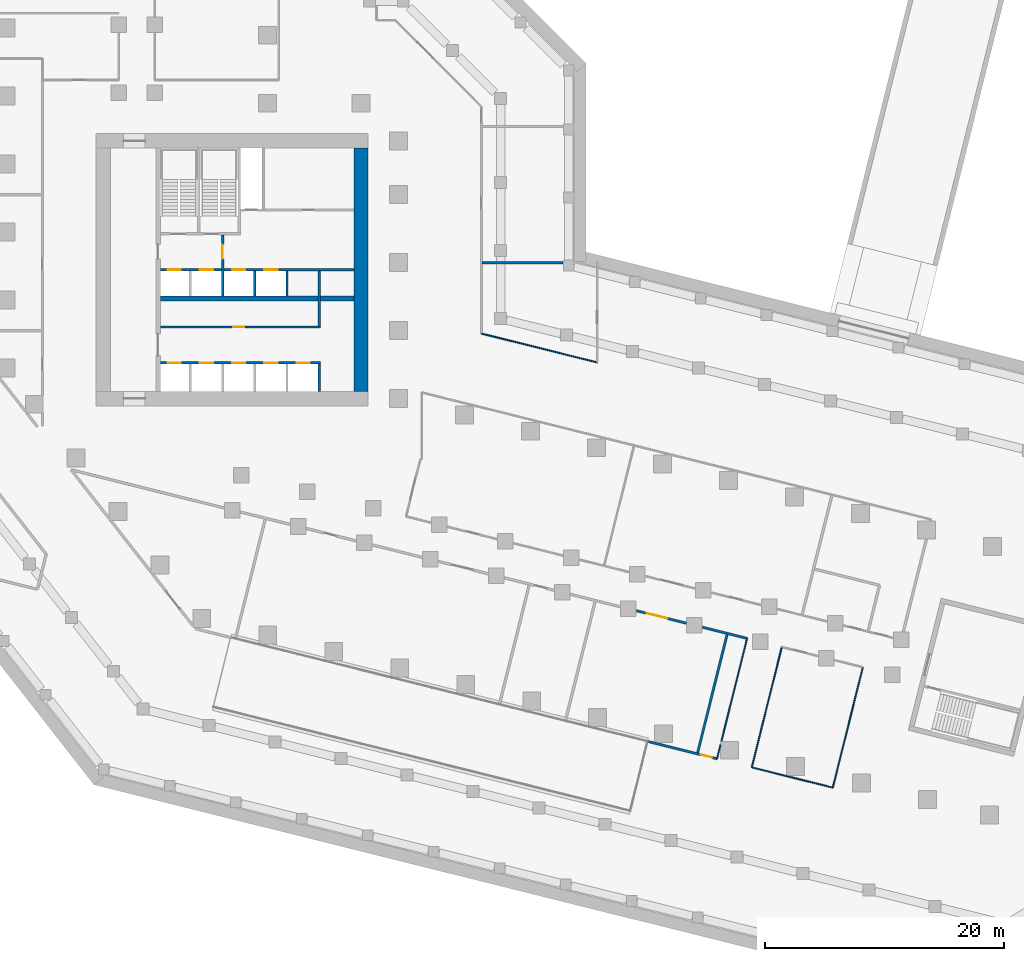
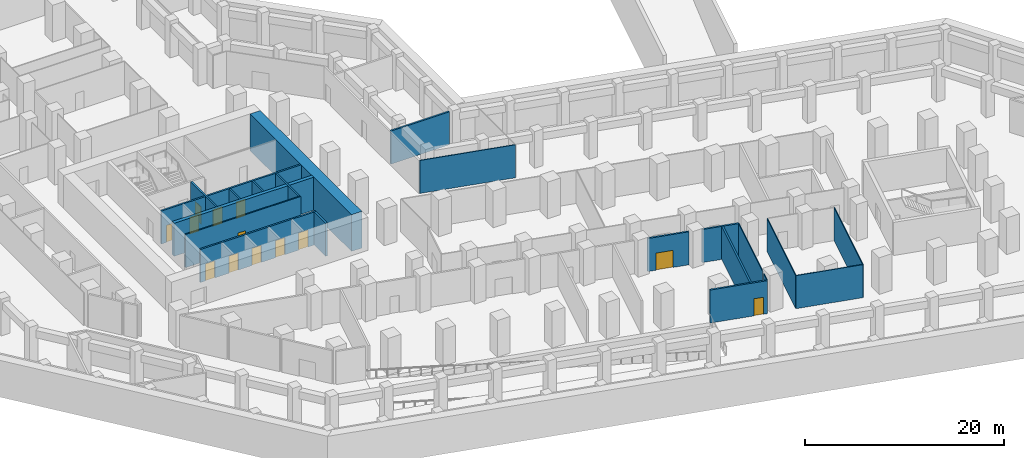
# One storey, part 6 of 14: 21 walls, 13 doors, 13 openings.
"""IFC4 building model written with IfcOpenShell, lengths in metres."""

from ifc_helpers import new_model, si_unit, direction, frame, frame_2d, origin, place, context, subcontext, project, spatial, rectangle, extrude, material, layer, layer_set, type_object, element, fill, save


model = new_model("IFC4")

# Units and contexts
model_context = context("Model", 3, precision=1e-05, world=origin(), true_north=direction((0.0, 1.0)))
body_context = subcontext(model_context, "Body", "Model", "MODEL_VIEW")
ifc_project = project(units=[si_unit("LENGTHUNIT", "METRE"), si_unit("AREAUNIT", "SQUARE_METRE"), si_unit("VOLUMEUNIT", "CUBIC_METRE"), si_unit("PLANEANGLEUNIT", "RADIAN"), si_unit("MASSUNIT", "GRAM", prefix="KILO")], contexts=[model_context])

# Site, building, storey
site_placement = place(None, origin())
site = spatial("IfcSite", under=ifc_project, at=site_placement, CompositionType="ELEMENT")
building_placement = place(site_placement, origin())
building = spatial("IfcBuilding", under=site, at=building_placement, Name="Meshkara Civic Tower", CompositionType="ELEMENT")
storey_placement = place(building_placement, frame((0.0, 0.0, -4.5)))
storey = spatial("IfcBuildingStorey", under=building, at=storey_placement, Name="B1", CompositionType="ELEMENT", Elevation=-4.5)

# Wall, opening, door
ifc_material_1 = material(Name="Blockwork", Category="masonry")
ifc_layer_1 = layer(ifc_material_1, 0.14990234375)
ifc_layer_set_1 = layer_set([ifc_layer_1], Name="Core partition 150")
wall_type_1 = type_object("IfcWallType", Name="Core partition 150", PredefinedType="PARTITIONING", material=ifc_layer_set_1)
wall_1_placement = place(storey_placement, frame((13.39990234375, 20.699951171875, 0.0), z_axis=(0.0, 0.0, 1.0), x_axis=(1.0, 0.0, 0.0)))
wall_1 = element("IfcWall", 1, at=wall_1_placement, inside=storey, type_object=wall_type_1, Name="B1-C006", PredefinedType="PARTITIONING", context=body_context, shape_type="SweptSolid", body=[
    extrude(rectangle(XDim=13.400146484375, YDim=0.14990234375, at=frame_2d((6.7001953125, 0.0))), origin(), (0.0, 0.0, 1.0), 4.050048828125),
])
opening_1_placement = place(wall_1_placement, frame((6.10009765625, 0.0, 0.0)))
opening_1 = element("IfcOpeningElement", 2, at=opening_1_placement, cuts=wall_1, Name="Opening B1-K010", PredefinedType="OPENING", context=body_context, shape_type="SweptSolid", body=[
    extrude(rectangle(XDim=0.89990234375, YDim=2.10009765625, at=frame_2d((0.449951171875, 1.050048828125))), frame((0.0, 0.0849609375, 0.0), z_axis=(0.0, -1.0, 0.0), x_axis=(1.0, 0.0, 0.0)), (0.0, 0.0, 1.0), 0.169921875),
])
ifc_material_2 = material(Name="Timber door leaf in steel frame", Category="steel")
door_type_1 = type_object("IfcDoorType", Name="Core room door 900", OperationType="SINGLE_SWING_LEFT", PredefinedType="DOOR", material=ifc_material_2)
door_1_placement = place(opening_1_placement, origin())
door_1 = element("IfcDoor", 3, at=door_1_placement, inside=storey, type_object=door_type_1, Name="B1-K010", OperationType="SINGLE_SWING_RIGHT", OverallHeight=2.10009765625, OverallWidth=0.89990234375, PredefinedType="DOOR", context=body_context, shape_type="SweptSolid", body=[
    extrude(rectangle(XDim=0.89990234375, YDim=2.10009765625, at=frame_2d((0.449951171875, 1.050048828125))), frame((0.0, 0.02490234375, 0.0), z_axis=(0.0, -1.0, 0.0), x_axis=(1.0, 0.0, 0.0)), (0.0, 0.0, 1.0), 0.050048828125),
])
fill(opening_1, door_1)

# Walls
ifc_material_3 = material(Name="Concrete C80", Category="concrete")
ifc_layer_2 = layer(ifc_material_3, 1.199951171875)
ifc_layer_set_2 = layer_set([ifc_layer_2], Name="Core ring wall 1200 C80")
wall_type_2 = type_object("IfcWallType", Name="Core ring wall 1200 C80", PredefinedType="SHEAR", material=ifc_layer_set_2)
wall_2_placement = place(storey_placement, frame((30.199951171875, 15.300048828125, -0.449951171875), z_axis=(0.0, 0.0, 1.0), x_axis=(0.0, 1.0, 0.0)))
element("IfcWall", 4, at=wall_2_placement, inside=storey, type_object=wall_type_2, Name="B1-C004", PredefinedType="SHEAR", context=body_context, shape_type="SweptSolid", body=[
    extrude(rectangle(XDim=20.39990234375, YDim=1.199951171875, at=frame_2d((10.199951171875, 0.0))), origin(), (0.0, 0.0, 1.0), 4.5),
])
ifc_material_4 = material(Name="Concrete C80", Category="concrete")
ifc_layer_3 = layer(ifc_material_4, 0.39990234375)
ifc_layer_set_3 = layer_set([ifc_layer_3], Name="Core shear wall 400 C80")
wall_type_3 = type_object("IfcWallType", Name="Core shear wall 400 C80", PredefinedType="SHEAR", material=ifc_layer_set_3)
wall_3_placement = place(storey_placement, frame((13.39990234375, 23.10009765625, 0.0), z_axis=(0.0, 0.0, 1.0), x_axis=(1.0, 0.0, 0.0)))
element("IfcWall", 5, at=wall_3_placement, inside=storey, type_object=wall_type_3, Name="B1-C007", PredefinedType="SHEAR", context=body_context, shape_type="SweptSolid", body=[
    extrude(rectangle(XDim=16.2001953125, YDim=0.39990234375, at=frame_2d((8.10009765625, 0.0))), origin(), (0.0, 0.0, 1.0), 4.050048828125),
])
ifc_material_5 = material(Name="Corridor wall 100")
ifc_layer_4 = layer(ifc_material_5, 0.10009765625)
ifc_layer_set_4 = layer_set([ifc_layer_4], Name="Corridor wall 100")
wall_type_4 = type_object("IfcWallType", Name="Corridor wall 100", PredefinedType="PARTITIONING", material=ifc_layer_set_4)
wall_4_placement = place(storey_placement, frame((50.0, 17.73095703125, 0.0), z_axis=(0.0, 0.0, 1.0), x_axis=(-0.970307482214, 0.241874740224, 0.0)))
element("IfcWall", 6, at=wall_4_placement, inside=storey, type_object=wall_type_4, Name="B1-R063", PredefinedType="PARTITIONING", context=body_context, shape_type="SweptSolid", body=[
    extrude(rectangle(XDim=9.996826171875, YDim=0.10009765625, at=frame_2d((4.99853515625, 0.0))), origin(), (0.0, 0.0, 1.0), 4.050048828125),
])
wall_5_placement = place(storey_placement, frame((60.326904296875, -14.324951171875, 0.0), z_axis=(0.0, 0.0, 1.0), x_axis=(-0.241814119599, -0.970322591493, 0.0)))
element("IfcWall", 7, at=wall_5_placement, inside=storey, type_object=wall_type_4, Name="B1-R069", PredefinedType="PARTITIONING", context=body_context, shape_type="SweptSolid", body=[
    extrude(rectangle(XDim=1.1943359375, YDim=0.10009765625, at=frame_2d((0.59716796875, 0.0))), origin(), (0.0, 0.0, 1.0), 4.050048828125),
])
wall_6_placement = place(storey_placement, frame((62.553955078125, -5.39306640625, 0.0), z_axis=(0.0, 0.0, 1.0), x_axis=(-0.2419526798, -0.970288050394, 0.0)))
element("IfcWall", 8, at=wall_6_placement, inside=storey, type_object=wall_type_4, Name="B1-R070", PredefinedType="PARTITIONING", context=body_context, shape_type="SweptSolid", body=[
    extrude(rectangle(XDim=8.869384765625, YDim=0.10009765625, at=frame_2d((4.4345703125, 0.0))), origin(), (0.0, 0.0, 1.0), 4.050048828125),
])
wall_7_placement = place(storey_placement, frame((62.947998046875, -16.2099609375, 0.0), z_axis=(0.0, 0.0, 1.0), x_axis=(0.241933513219, 0.970292829604, 0.0)))
element("IfcWall", 9, at=wall_7_placement, inside=storey, type_object=wall_type_4, Name="B1-R071", PredefinedType="PARTITIONING", context=body_context, shape_type="SweptSolid", body=[
    extrude(rectangle(XDim=10.39990234375, YDim=0.10009765625, at=frame_2d((5.199951171875, 0.0))), origin(), (0.0, 0.0, 1.0), 4.050048828125),
])
wall_8_placement = place(storey_placement, frame((69.740966796875, -17.903076171875, 0.0), z_axis=(0.0, 0.0, 1.0), x_axis=(-0.970314570401, 0.241846303398, 0.0)))
element("IfcWall", 10, at=wall_8_placement, inside=storey, type_object=wall_type_4, Name="B1-R075", PredefinedType="PARTITIONING", context=body_context, shape_type="SweptSolid", body=[
    extrude(rectangle(XDim=7.000732421875, YDim=0.10009765625, at=frame_2d((3.50048828125, 0.0))), origin(), (0.0, 0.0, 1.0), 4.050048828125),
])
wall_9_placement = place(storey_placement, frame((72.257080078125, -7.81201171875, 0.0), z_axis=(0.0, 0.0, 1.0), x_axis=(-0.241933513219, -0.970292829604, 0.0)))
element("IfcWall", 11, at=wall_9_placement, inside=storey, type_object=wall_type_4, Name="B1-R078", PredefinedType="PARTITIONING", context=body_context, shape_type="SweptSolid", body=[
    extrude(rectangle(XDim=10.39990234375, YDim=0.10009765625, at=frame_2d((5.199951171875, 0.0))), origin(), (0.0, 0.0, 1.0), 4.050048828125),
])

# Wall, opening, door
ifc_material_6 = material(Name="Fire-rated wall 200")
ifc_layer_5 = layer(ifc_material_6, 0.199951171875)
ifc_layer_set_5 = layer_set([ifc_layer_5], Name="Fire-rated wall 200")
wall_type_5 = type_object("IfcWallType", Name="Fire-rated wall 200", PredefinedType="PARTITIONING", material=ifc_layer_set_5)
wall_10_placement = place(storey_placement, frame((53.278076171875, -3.0810546875, 0.0), z_axis=(0.0, 0.0, 1.0), x_axis=(0.970295255208, -0.241923784941, 0.0)))
wall_10 = element("IfcWall", 12, at=wall_10_placement, inside=storey, type_object=wall_type_5, Name="B1-R065", PredefinedType="PARTITIONING", context=body_context, shape_type="SweptSolid", body=[
    extrude(rectangle(XDim=4.3193359375, YDim=0.199951171875, at=frame_2d((2.15966796875, 0.0))), origin(), (0.0, 0.0, 1.0), 4.050048828125),
])
opening_2_placement = place(wall_10_placement, frame((0.8798828125, 0.0, 0.0)))
opening_2 = element("IfcOpeningElement", 13, at=opening_2_placement, cuts=wall_10, Name="Opening B1-P005", PredefinedType="OPENING", context=body_context, shape_type="SweptSolid", body=[
    extrude(rectangle(XDim=1.800048828125, YDim=2.10009765625, at=frame_2d((0.89990234375, 1.050048828125))), frame((0.0, 0.10986328125, 0.0), z_axis=(0.0, -1.0, 0.0), x_axis=(1.0, 0.0, 0.0)), (0.0, 0.0, 1.0), 0.219970703125),
])
ifc_material_7 = material(Name="Door pair 1800 x 2100")
door_type_2 = type_object("IfcDoorType", Name="Door pair 1800 x 2100", OperationType="SINGLE_SWING_LEFT", PredefinedType="DOOR", material=ifc_material_7)
door_2_placement = place(opening_2_placement, origin())
door_2 = element("IfcDoor", 14, at=door_2_placement, inside=storey, type_object=door_type_2, Name="B1-P005", OperationType="DOUBLE_DOOR_SINGLE_SWING", OverallHeight=2.10009765625, OverallWidth=1.800048828125, PredefinedType="DOOR", context=body_context, shape_type="SweptSolid", body=[
    extrude(rectangle(XDim=1.800048828125, YDim=2.10009765625, at=frame_2d((0.89990234375, 1.050048828125))), frame((0.0, 0.02490234375, 0.0), z_axis=(0.0, -1.0, 0.0), x_axis=(1.0, 0.0, 0.0)), (0.0, 0.0, 1.0), 0.050048828125),
])
fill(opening_2, door_2)

wall_11_placement = place(storey_placement, frame((54.2119140625, -14.031982421875, 0.0), z_axis=(0.0, 0.0, 1.0), x_axis=(0.970324004364, -0.241808450132, 0.0)))
wall_11 = element("IfcWall", 15, at=wall_11_placement, inside=storey, type_object=wall_type_5, Name="B1-R066", PredefinedType="PARTITIONING", context=body_context, shape_type="SweptSolid", body=[
    extrude(rectangle(XDim=6.00439453125, YDim=0.199951171875, at=frame_2d((3.002197265625, 0.0))), origin(), (0.0, 0.0, 1.0), 4.050048828125),
])
opening_3_placement = place(wall_11_placement, frame((4.583984375, 0.0, 0.0)))
opening_3 = element("IfcOpeningElement", 16, at=opening_3_placement, cuts=wall_11, Name="Opening B1-P001", PredefinedType="OPENING", context=body_context, shape_type="SweptSolid", body=[
    extrude(rectangle(XDim=1.0, YDim=2.10009765625, at=frame_2d((0.5, 1.050048828125))), frame((0.0, 0.10986328125, 0.0), z_axis=(0.0, -1.0, 0.0), x_axis=(1.0, 0.0, 0.0)), (0.0, 0.0, 1.0), 0.219970703125),
])
ifc_material_8 = material(Name="Door 1000 x 2100")
door_type_3 = type_object("IfcDoorType", Name="Door 1000 x 2100", OperationType="SINGLE_SWING_LEFT", PredefinedType="DOOR", material=ifc_material_8)
door_3_placement = place(opening_3_placement, origin())
door_3 = element("IfcDoor", 17, at=door_3_placement, inside=storey, type_object=door_type_3, Name="B1-P001", OperationType="SINGLE_SWING_LEFT", OverallHeight=2.10009765625, OverallWidth=1.0, PredefinedType="DOOR", context=body_context, shape_type="SweptSolid", body=[
    extrude(rectangle(XDim=1.0, YDim=2.10009765625, at=frame_2d((0.5, 1.050048828125))), frame((0.0, 0.02490234375, 0.0), z_axis=(0.0, -1.0, 0.0), x_axis=(1.0, 0.0, 0.0)), (0.0, 0.0, 1.0), 0.050048828125),
])
fill(opening_3, door_3)

# Walls
wall_12_placement = place(storey_placement, frame((58.80908203125, -4.4599609375, 0.0), z_axis=(0.0, 0.0, 1.0), x_axis=(0.97033198058, -0.241776441083, 0.0)))
element("IfcWall", 18, at=wall_12_placement, inside=storey, type_object=wall_type_5, Name="B1-R068", PredefinedType="PARTITIONING", context=body_context, shape_type="SweptSolid", body=[
    extrude(rectangle(XDim=3.859375, YDim=0.199951171875, at=frame_2d((1.9296875, 0.0))), origin(), (0.0, 0.0, 1.0), 4.050048828125),
])
wall_13_placement = place(storey_placement, frame((47.1298828125, 26.10009765625, 0.0), z_axis=(0.0, 0.0, 1.0), x_axis=(-1.0, 0.0, 0.0)))
element("IfcWall", 19, at=wall_13_placement, inside=storey, type_object=wall_type_5, Name="B1-R095", PredefinedType="PARTITIONING", context=body_context, shape_type="SweptSolid", body=[
    extrude(rectangle(XDim=6.77978515625, YDim=0.199951171875, at=frame_2d((3.389892578125, 0.0))), origin(), (0.0, 0.0, 1.0), 4.050048828125),
])
wall_14_placement = place(storey_placement, frame((58.39990234375, -15.02392578125, 0.0), z_axis=(0.0, 0.0, 1.0), x_axis=(0.241983392409, 0.970280391329, 0.0)))
element("IfcWall", 20, at=wall_14_placement, inside=storey, type_object=wall_type_5, Name="B1-R099", PredefinedType="PARTITIONING", context=body_context, shape_type="SweptSolid", body=[
    extrude(rectangle(XDim=10.299072265625, YDim=0.199951171875, at=frame_2d((5.1494140625, 0.0))), origin(), (0.0, 0.0, 1.0), 4.050048828125),
])

# Wall, openings, doors
ifc_material_9 = material(Name="Concrete C40/50", Category="concrete")
ifc_layer_6 = layer(ifc_material_9, 0.199951171875)
ifc_layer_set_6 = layer_set([ifc_layer_6], Name="Shaft wall 200 C40/50")
wall_type_6 = type_object("IfcWallType", Name="Shaft wall 200 C40/50", PredefinedType="SOLIDWALL", material=ifc_layer_set_6)
wall_15_placement = place(storey_placement, frame((13.39990234375, 17.699951171875, 0.0), z_axis=(0.0, 0.0, 1.0), x_axis=(1.0, 0.0, 0.0)))
wall_15 = element("IfcWall", 21, at=wall_15_placement, inside=storey, type_object=wall_type_6, Name="B1-C005", PredefinedType="SOLIDWALL", context=body_context, shape_type="SweptSolid", body=[
    extrude(rectangle(XDim=13.400146484375, YDim=0.199951171875, at=frame_2d((6.7001953125, 0.0))), origin(), (0.0, 0.0, 1.0), 4.050048828125),
])
opening_4_placement = place(wall_15_placement, frame((0.60009765625, 0.0, 0.0)))
opening_4 = element("IfcOpeningElement", 22, at=opening_4_placement, cuts=wall_15, Name="Opening B1-K001", PredefinedType="OPENING", context=body_context, shape_type="SweptSolid", body=[
    extrude(rectangle(XDim=1.10009765625, YDim=2.10009765625, at=frame_2d((0.550048828125, 1.050048828125))), frame((0.0, 0.10986328125, 0.0), z_axis=(0.0, -1.0, 0.0), x_axis=(1.0, 0.0, 0.0)), (0.0, 0.0, 1.0), 0.219970703125),
])
opening_5_placement = place(wall_15_placement, frame((3.300048828125, 0.0, 0.0)))
opening_5 = element("IfcOpeningElement", 23, at=opening_5_placement, cuts=wall_15, Name="Opening B1-K002", PredefinedType="OPENING", context=body_context, shape_type="SweptSolid", body=[
    extrude(rectangle(XDim=1.10009765625, YDim=2.10009765625, at=frame_2d((0.550048828125, 1.050048828125))), frame((0.0, 0.10986328125, 0.0), z_axis=(0.0, -1.0, 0.0), x_axis=(1.0, 0.0, 0.0)), (0.0, 0.0, 1.0), 0.219970703125),
])
opening_6_placement = place(wall_15_placement, frame((6.0, 0.0, 0.0)))
opening_6 = element("IfcOpeningElement", 24, at=opening_6_placement, cuts=wall_15, Name="Opening B1-K003", PredefinedType="OPENING", context=body_context, shape_type="SweptSolid", body=[
    extrude(rectangle(XDim=1.10009765625, YDim=2.10009765625, at=frame_2d((0.550048828125, 1.050048828125))), frame((0.0, 0.10986328125, 0.0), z_axis=(0.0, -1.0, 0.0), x_axis=(1.0, 0.0, 0.0)), (0.0, 0.0, 1.0), 0.219970703125),
])
opening_7_placement = place(wall_15_placement, frame((8.699951171875, 0.0, 0.0)))
opening_7 = element("IfcOpeningElement", 25, at=opening_7_placement, cuts=wall_15, Name="Opening B1-K004", PredefinedType="OPENING", context=body_context, shape_type="SweptSolid", body=[
    extrude(rectangle(XDim=1.10009765625, YDim=2.10009765625, at=frame_2d((0.550048828125, 1.050048828125))), frame((0.0, 0.10986328125, 0.0), z_axis=(0.0, -1.0, 0.0), x_axis=(1.0, 0.0, 0.0)), (0.0, 0.0, 1.0), 0.219970703125),
])
opening_8_placement = place(wall_15_placement, frame((11.39990234375, 0.0, 0.0)))
opening_8 = element("IfcOpeningElement", 26, at=opening_8_placement, cuts=wall_15, Name="Opening B1-K005", PredefinedType="OPENING", context=body_context, shape_type="SweptSolid", body=[
    extrude(rectangle(XDim=1.10009765625, YDim=2.10009765625, at=frame_2d((0.550048828125, 1.050048828125))), frame((0.0, 0.10986328125, 0.0), z_axis=(0.0, -1.0, 0.0), x_axis=(1.0, 0.0, 0.0)), (0.0, 0.0, 1.0), 0.219970703125),
])
ifc_material_10 = material(Name="Stainless steel landing door", Category="steel")
door_type_4 = type_object("IfcDoorType", Name="Lift landing door 1100", OperationType="SLIDING_TO_LEFT", PredefinedType="DOOR", material=ifc_material_10)
door_4_placement = place(opening_4_placement, origin())
door_4 = element("IfcDoor", 27, at=door_4_placement, inside=storey, type_object=door_type_4, Name="B1-K001", OperationType="SLIDING_TO_LEFT", OverallHeight=2.10009765625, OverallWidth=1.10009765625, PredefinedType="DOOR", context=body_context, shape_type="SweptSolid", body=[
    extrude(rectangle(XDim=1.10009765625, YDim=2.10009765625, at=frame_2d((0.550048828125, 1.050048828125))), frame((0.0, 0.02490234375, 0.0), z_axis=(0.0, -1.0, 0.0), x_axis=(1.0, 0.0, 0.0)), (0.0, 0.0, 1.0), 0.050048828125),
])
fill(opening_4, door_4)
door_5_placement = place(opening_5_placement, origin())
door_5 = element("IfcDoor", 28, at=door_5_placement, inside=storey, type_object=door_type_4, Name="B1-K002", OperationType="SLIDING_TO_LEFT", OverallHeight=2.10009765625, OverallWidth=1.10009765625, PredefinedType="DOOR", context=body_context, shape_type="SweptSolid", body=[
    extrude(rectangle(XDim=1.10009765625, YDim=2.10009765625, at=frame_2d((0.550048828125, 1.050048828125))), frame((0.0, 0.02490234375, 0.0), z_axis=(0.0, -1.0, 0.0), x_axis=(1.0, 0.0, 0.0)), (0.0, 0.0, 1.0), 0.050048828125),
])
fill(opening_5, door_5)
door_6_placement = place(opening_6_placement, origin())
door_6 = element("IfcDoor", 29, at=door_6_placement, inside=storey, type_object=door_type_4, Name="B1-K003", OperationType="SLIDING_TO_LEFT", OverallHeight=2.10009765625, OverallWidth=1.10009765625, PredefinedType="DOOR", context=body_context, shape_type="SweptSolid", body=[
    extrude(rectangle(XDim=1.10009765625, YDim=2.10009765625, at=frame_2d((0.550048828125, 1.050048828125))), frame((0.0, 0.02490234375, 0.0), z_axis=(0.0, -1.0, 0.0), x_axis=(1.0, 0.0, 0.0)), (0.0, 0.0, 1.0), 0.050048828125),
])
fill(opening_6, door_6)
door_7_placement = place(opening_7_placement, origin())
door_7 = element("IfcDoor", 30, at=door_7_placement, inside=storey, type_object=door_type_4, Name="B1-K004", OperationType="SLIDING_TO_LEFT", OverallHeight=2.10009765625, OverallWidth=1.10009765625, PredefinedType="DOOR", context=body_context, shape_type="SweptSolid", body=[
    extrude(rectangle(XDim=1.10009765625, YDim=2.10009765625, at=frame_2d((0.550048828125, 1.050048828125))), frame((0.0, 0.02490234375, 0.0), z_axis=(0.0, -1.0, 0.0), x_axis=(1.0, 0.0, 0.0)), (0.0, 0.0, 1.0), 0.050048828125),
])
fill(opening_7, door_7)
door_8_placement = place(opening_8_placement, origin())
door_8 = element("IfcDoor", 31, at=door_8_placement, inside=storey, type_object=door_type_4, Name="B1-K005", OperationType="SLIDING_TO_LEFT", OverallHeight=2.10009765625, OverallWidth=1.10009765625, PredefinedType="DOOR", context=body_context, shape_type="SweptSolid", body=[
    extrude(rectangle(XDim=1.10009765625, YDim=2.10009765625, at=frame_2d((0.550048828125, 1.050048828125))), frame((0.0, 0.02490234375, 0.0), z_axis=(0.0, -1.0, 0.0), x_axis=(1.0, 0.0, 0.0)), (0.0, 0.0, 1.0), 0.050048828125),
])
fill(opening_8, door_8)

wall_16_placement = place(storey_placement, frame((13.39990234375, 25.5, 0.0), z_axis=(0.0, 0.0, 1.0), x_axis=(1.0, 0.0, 0.0)))
wall_16 = element("IfcWall", 32, at=wall_16_placement, inside=storey, type_object=wall_type_6, Name="B1-C008", PredefinedType="SOLIDWALL", context=body_context, shape_type="SweptSolid", body=[
    extrude(rectangle(XDim=16.2001953125, YDim=0.199951171875, at=frame_2d((8.10009765625, 0.0))), origin(), (0.0, 0.0, 1.0), 4.050048828125),
])
opening_9_placement = place(wall_16_placement, frame((0.60009765625, 0.0, 0.0)))
opening_9 = element("IfcOpeningElement", 33, at=opening_9_placement, cuts=wall_16, Name="Opening B1-K006", PredefinedType="OPENING", context=body_context, shape_type="SweptSolid", body=[
    extrude(rectangle(XDim=1.10009765625, YDim=2.10009765625, at=frame_2d((0.550048828125, 1.050048828125))), frame((0.0, 0.10986328125, 0.0), z_axis=(0.0, -1.0, 0.0), x_axis=(1.0, 0.0, 0.0)), (0.0, 0.0, 1.0), 0.219970703125),
])
opening_10_placement = place(wall_16_placement, frame((3.300048828125, 0.0, 0.0)))
opening_10 = element("IfcOpeningElement", 34, at=opening_10_placement, cuts=wall_16, Name="Opening B1-K007", PredefinedType="OPENING", context=body_context, shape_type="SweptSolid", body=[
    extrude(rectangle(XDim=1.10009765625, YDim=2.10009765625, at=frame_2d((0.550048828125, 1.050048828125))), frame((0.0, 0.10986328125, 0.0), z_axis=(0.0, -1.0, 0.0), x_axis=(1.0, 0.0, 0.0)), (0.0, 0.0, 1.0), 0.219970703125),
])
opening_11_placement = place(wall_16_placement, frame((6.0, 0.0, 0.0)))
opening_11 = element("IfcOpeningElement", 35, at=opening_11_placement, cuts=wall_16, Name="Opening B1-K008", PredefinedType="OPENING", context=body_context, shape_type="SweptSolid", body=[
    extrude(rectangle(XDim=1.10009765625, YDim=2.10009765625, at=frame_2d((0.550048828125, 1.050048828125))), frame((0.0, 0.10986328125, 0.0), z_axis=(0.0, -1.0, 0.0), x_axis=(1.0, 0.0, 0.0)), (0.0, 0.0, 1.0), 0.219970703125),
])
opening_12_placement = place(wall_16_placement, frame((8.699951171875, 0.0, 0.0)))
opening_12 = element("IfcOpeningElement", 36, at=opening_12_placement, cuts=wall_16, Name="Opening B1-K009", PredefinedType="OPENING", context=body_context, shape_type="SweptSolid", body=[
    extrude(rectangle(XDim=1.10009765625, YDim=2.10009765625, at=frame_2d((0.550048828125, 1.050048828125))), frame((0.0, 0.10986328125, 0.0), z_axis=(0.0, -1.0, 0.0), x_axis=(1.0, 0.0, 0.0)), (0.0, 0.0, 1.0), 0.219970703125),
])
door_9_placement = place(opening_9_placement, origin())
door_9 = element("IfcDoor", 37, at=door_9_placement, inside=storey, type_object=door_type_4, Name="B1-K006", OperationType="SLIDING_TO_LEFT", OverallHeight=2.10009765625, OverallWidth=1.10009765625, PredefinedType="DOOR", context=body_context, shape_type="SweptSolid", body=[
    extrude(rectangle(XDim=1.10009765625, YDim=2.10009765625, at=frame_2d((0.550048828125, 1.050048828125))), frame((0.0, 0.02490234375, 0.0), z_axis=(0.0, -1.0, 0.0), x_axis=(1.0, 0.0, 0.0)), (0.0, 0.0, 1.0), 0.050048828125),
])
fill(opening_9, door_9)
door_10_placement = place(opening_10_placement, origin())
door_10 = element("IfcDoor", 38, at=door_10_placement, inside=storey, type_object=door_type_4, Name="B1-K007", OperationType="SLIDING_TO_LEFT", OverallHeight=2.10009765625, OverallWidth=1.10009765625, PredefinedType="DOOR", context=body_context, shape_type="SweptSolid", body=[
    extrude(rectangle(XDim=1.10009765625, YDim=2.10009765625, at=frame_2d((0.550048828125, 1.050048828125))), frame((0.0, 0.02490234375, 0.0), z_axis=(0.0, -1.0, 0.0), x_axis=(1.0, 0.0, 0.0)), (0.0, 0.0, 1.0), 0.050048828125),
])
fill(opening_10, door_10)
door_11_placement = place(opening_11_placement, origin())
door_11 = element("IfcDoor", 39, at=door_11_placement, inside=storey, type_object=door_type_4, Name="B1-K008", OperationType="SLIDING_TO_LEFT", OverallHeight=2.10009765625, OverallWidth=1.10009765625, PredefinedType="DOOR", context=body_context, shape_type="SweptSolid", body=[
    extrude(rectangle(XDim=1.10009765625, YDim=2.10009765625, at=frame_2d((0.550048828125, 1.050048828125))), frame((0.0, 0.02490234375, 0.0), z_axis=(0.0, -1.0, 0.0), x_axis=(1.0, 0.0, 0.0)), (0.0, 0.0, 1.0), 0.050048828125),
])
fill(opening_11, door_11)
door_12_placement = place(opening_12_placement, origin())
door_12 = element("IfcDoor", 40, at=door_12_placement, inside=storey, type_object=door_type_4, Name="B1-K009", OperationType="SLIDING_TO_LEFT", OverallHeight=2.10009765625, OverallWidth=1.10009765625, PredefinedType="DOOR", context=body_context, shape_type="SweptSolid", body=[
    extrude(rectangle(XDim=1.10009765625, YDim=2.10009765625, at=frame_2d((0.550048828125, 1.050048828125))), frame((0.0, 0.02490234375, 0.0), z_axis=(0.0, -1.0, 0.0), x_axis=(1.0, 0.0, 0.0)), (0.0, 0.0, 1.0), 0.050048828125),
])
fill(opening_12, door_12)

# Wall, opening, door
wall_17_placement = place(storey_placement, frame((18.60009765625, 23.300048828125, 0.0), z_axis=(0.0, 0.0, 1.0), x_axis=(0.0, 1.0, 0.0)))
wall_17 = element("IfcWall", 41, at=wall_17_placement, inside=storey, type_object=wall_type_6, Name="B1-C016", PredefinedType="SOLIDWALL", context=body_context, shape_type="SweptSolid", body=[
    extrude(rectangle(XDim=5.099853515625, YDim=0.199951171875, at=frame_2d((2.5498046875, 0.0))), origin(), (0.0, 0.0, 1.0), 4.050048828125),
])
opening_13_placement = place(wall_17_placement, frame((3.10009765625, 0.0, 0.0)))
opening_13 = element("IfcOpeningElement", 42, at=opening_13_placement, cuts=wall_17, Name="Opening B1-K017", PredefinedType="OPENING", context=body_context, shape_type="SweptSolid", body=[
    extrude(rectangle(XDim=1.199951171875, YDim=2.10009765625, at=frame_2d((0.60009765625, 1.050048828125))), frame((0.0, 0.10986328125, 0.0), z_axis=(0.0, -1.0, 0.0), x_axis=(1.0, 0.0, 0.0)), (0.0, 0.0, 1.0), 0.219970703125),
])
ifc_material_11 = material(Name="Fire-rated door leaf in steel frame", Category="steel")
door_type_5 = type_object("IfcDoorType", Name="Fire-fighting lobby door 1200 EI 120", OperationType="SINGLE_SWING_LEFT", PredefinedType="DOOR", material=ifc_material_11)
door_13_placement = place(opening_13_placement, origin())
door_13 = element("IfcDoor", 43, at=door_13_placement, inside=storey, type_object=door_type_5, Name="B1-K017", OperationType="SINGLE_SWING_RIGHT", OverallHeight=2.10009765625, OverallWidth=1.199951171875, PredefinedType="DOOR", context=body_context, shape_type="SweptSolid", body=[
    extrude(rectangle(XDim=1.199951171875, YDim=2.10009765625, at=frame_2d((0.60009765625, 1.050048828125))), frame((0.0, 0.02490234375, 0.0), z_axis=(0.0, -1.0, 0.0), x_axis=(1.0, 0.0, 0.0)), (0.0, 0.0, 1.0), 0.050048828125),
])
fill(opening_13, door_13)

# Walls
for number, where, z_axis, x_axis, name in (
    (44, (21.300048828125, 23.300048828125, 0.0), (0.0, 0.0, 1.0), (0.0, 1.0, 0.0), "B1-C019"),
    (45, (24.0, 23.300048828125, 0.0), (0.0, 0.0, 1.0), (0.0, 1.0, 0.0), "B1-C022"),
):
    element("IfcWall", number, at=place(storey_placement, frame(where, z_axis=z_axis, x_axis=x_axis)), inside=storey, type_object=wall_type_6, Name=name, PredefinedType="SOLIDWALL", context=body_context, shape_type="SweptSolid", body=[
        extrude(rectangle(XDim=2.099853515625, YDim=0.199951171875, at=frame_2d((1.0498046875, 0.0))), origin(), (0.0, 0.0, 1.0), 4.050048828125),
    ])
wall_18_placement = place(storey_placement, frame((26.699951171875, 15.300048828125, 0.0), z_axis=(0.0, 0.0, 1.0), x_axis=(0.0, 1.0, 0.0)))
element("IfcWall", 46, at=wall_18_placement, inside=storey, type_object=wall_type_6, Name="B1-C023", PredefinedType="SOLIDWALL", context=body_context, shape_type="SweptSolid", body=[
    extrude(rectangle(XDim=2.300048828125, YDim=0.199951171875, at=frame_2d((1.14990234375, 0.0))), origin(), (0.0, 0.0, 1.0), 4.050048828125),
])
wall_19_placement = place(storey_placement, frame((26.699951171875, 20.77490234375, 0.0), z_axis=(0.0, 0.0, 1.0), x_axis=(0.0, 1.0, 0.0)))
element("IfcWall", 47, at=wall_19_placement, inside=storey, type_object=wall_type_6, Name="B1-C024", PredefinedType="SOLIDWALL", context=body_context, shape_type="SweptSolid", body=[
    extrude(rectangle(XDim=4.625, YDim=0.199951171875, at=frame_2d((2.3125, 0.0))), origin(), (0.0, 0.0, 1.0), 4.050048828125),
])

save(model, "model.ifc")
